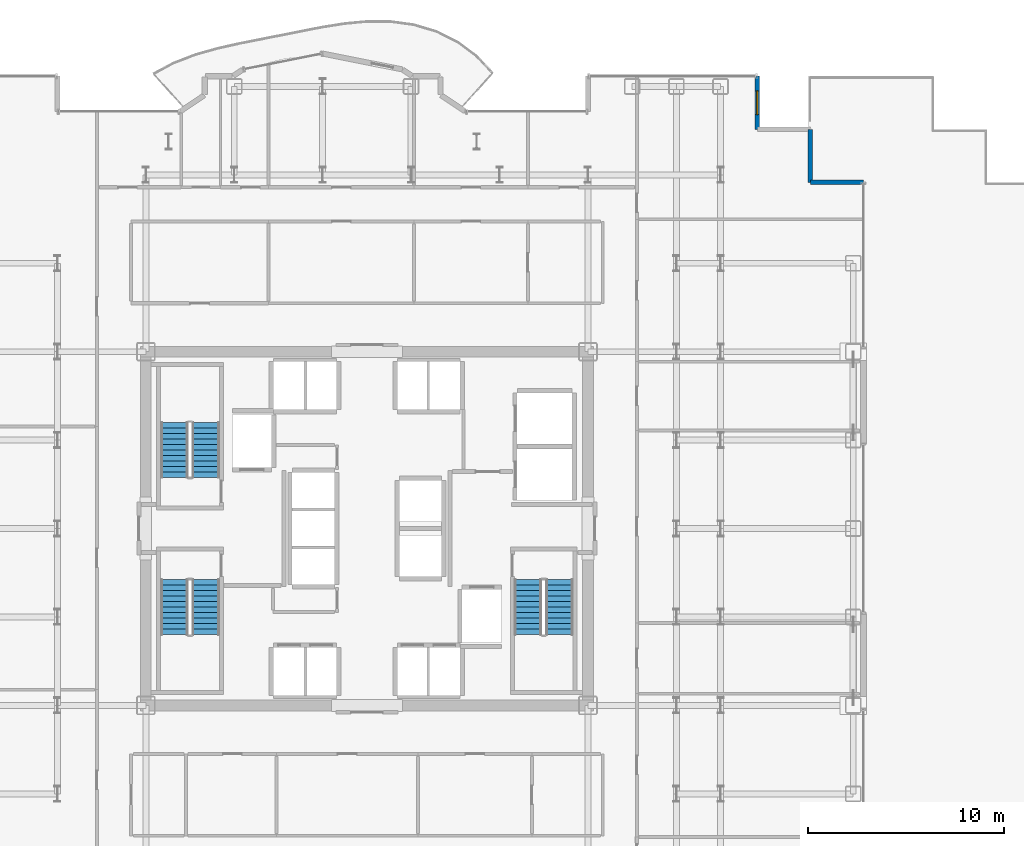
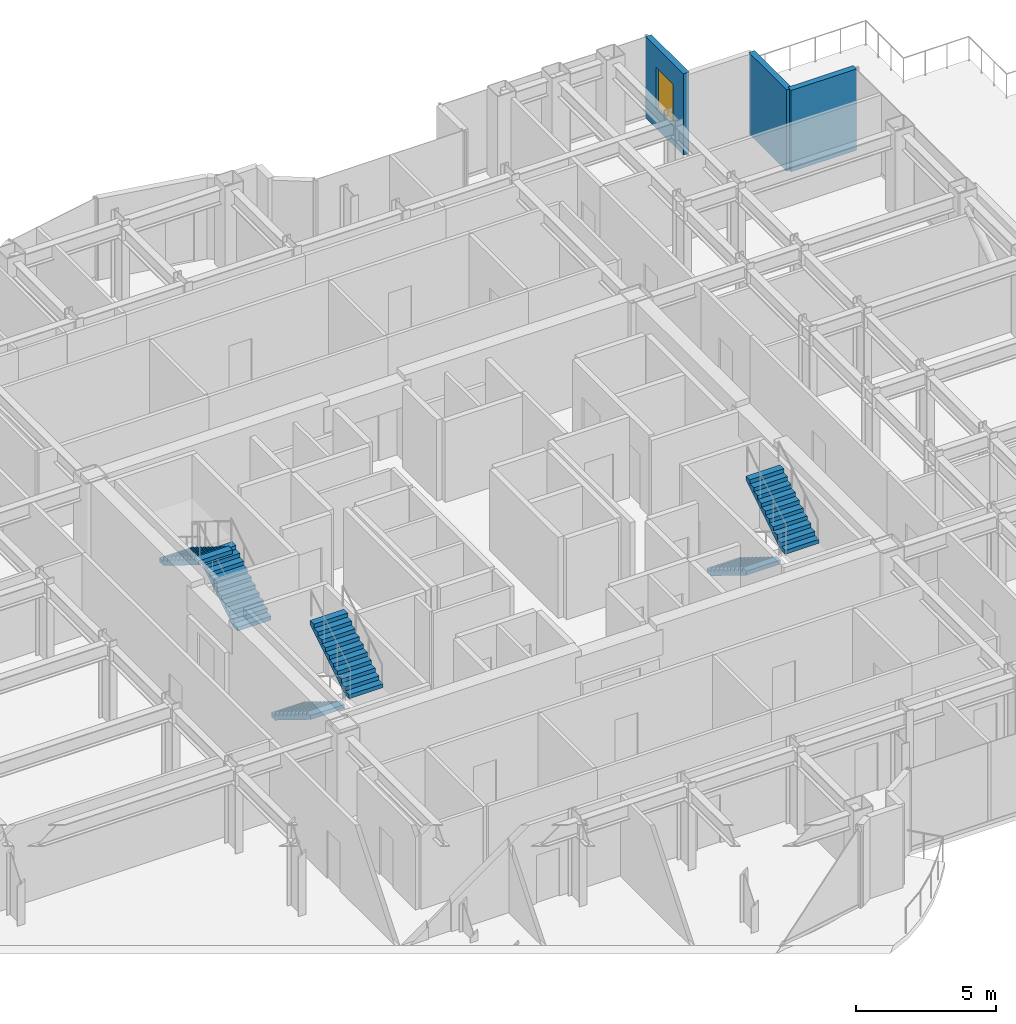
# One storey, part 25 of 27: 6 stair flights, 3 walls, 1 window, 1 opening, 3 elements without a shape of their own.
"""IFC4 building model written with IfcOpenShell, lengths in metres."""

from ifc_helpers import new_model, si_unit, direction, frame, frame_2d, origin, place, context, subcontext, project, spatial, polyline, rectangle, outline, extrude, source, transform, mapped, material, layer, layer_set, type_object, element, fill, aggregate, save


model = new_model("IFC4")

# Units and contexts
model_context = context("Model", 3, precision=1e-05, world=origin(), true_north=direction((0.0, 1.0)))
body_context = subcontext(model_context, "Body", "Model", "MODEL_VIEW")
ifc_project = project(units=[si_unit("LENGTHUNIT", "METRE"), si_unit("AREAUNIT", "SQUARE_METRE"), si_unit("VOLUMEUNIT", "CUBIC_METRE"), si_unit("PLANEANGLEUNIT", "RADIAN"), si_unit("MASSUNIT", "GRAM", prefix="KILO")], contexts=[model_context])

# Site, building, storey
site_placement = place(None, origin())
site = spatial("IfcSite", under=ifc_project, at=site_placement, CompositionType="ELEMENT")
building_placement = place(site_placement, origin())
building = spatial("IfcBuilding", under=site, at=building_placement, Name="Nefas-Gora Pilgrimage Tower", CompositionType="ELEMENT")
storey_placement = place(building_placement, frame((0.0, 0.0, 148.800048828125)))
storey = spatial("IfcBuildingStorey", under=building, at=storey_placement, Name="L36", CompositionType="ELEMENT", Elevation=148.800048828125)

# Walls
ifc_material_1 = material(Name="Precast concrete C45/55", Category="concrete")
ifc_layer = layer(ifc_material_1, 0.239990234375)
ifc_layer_set = layer_set([ifc_layer], Name="Precast concrete C45/55")
wall_type = type_object("IfcWallType", Name="EW-SERR-240", PredefinedType="SHEAR", material=ifc_layer_set)
shared_shape_1 = source(origin(), body_context, "Body", "SweptSolid", [
    extrude(rectangle(XDim=2.699951171875, YDim=0.239990234375, at=frame_2d((1.35009765625, 0.0))), origin(), (0.0, 0.0, 1.0), 3.550048828125),
])
for number, where, z_axis, x_axis, name in (
    (1, (25.27001953125, 17.6201171875, 0.0), (0.0, 0.0, 1.0), (-1.0, 0.0, 0.0), "L36 Serrated Corner Shear Pier Wall 10"),
    (2, (22.570068359375, 17.6201171875, 0.0), (0.0, 0.0, 1.0), (0.0, 1.0, 0.0), "L36 Serrated Corner Shear Pier Wall 11"),
):
    element("IfcWall", number, at=place(storey_placement, frame(where, z_axis=z_axis, x_axis=x_axis)), inside=storey, type_object=wall_type, Name=name, PredefinedType="SHEAR", context=body_context, shape_type="MappedRepresentation", body=[
        mapped(shared_shape_1, transform((0.0, 0.0, 0.0), x_axis=(1.0, 0.0, 0.0), y_axis=(0.0, 1.0, 0.0), z_axis=(0.0, 0.0, 1.0), scale=1.0)),
    ])

# Wall, opening, window
wall_placement = place(storey_placement, frame((19.8701171875, 20.320068359375, 0.0), z_axis=(0.0, 0.0, 1.0), x_axis=(0.0, 1.0, 0.0)))
wall = element("IfcWall", 3, at=wall_placement, inside=storey, type_object=wall_type, Name="L36 Serrated Corner Shear Pier Wall 13", PredefinedType="SHEAR", context=body_context, shape_type="MappedRepresentation", body=[
    mapped(shared_shape_1, transform((0.0, 0.0, 0.0), x_axis=(1.0, 0.0, 0.0), y_axis=(0.0, 1.0, 0.0), z_axis=(0.0, 0.0, 1.0), scale=1.0)),
])
opening_placement = place(wall_placement, frame((0.75, 0.0, 0.85009765625)))
opening = element("IfcOpeningElement", 4, at=opening_placement, cuts=wall, Name="Opening W-V1", PredefinedType="OPENING", context=body_context, shape_type="SweptSolid", body=[
    extrude(rectangle(XDim=1.199951171875, YDim=1.800048828125, at=frame_2d((0.60009765625, 0.89990234375))), frame((0.0, 0.1298828125, 0.0), z_axis=(0.0, -1.0, 0.0), x_axis=(1.0, 0.0, 0.0)), (0.0, 0.0, 1.0), 0.260009765625),
])
ifc_material_2 = material(Name="Dark ceramic-fritted operable aluminium-glass window", Category="aluminium")
window_type = type_object("IfcWindowType", Name="WIN-VENT-1200x1800", PartitioningType="SINGLE_PANEL", PredefinedType="WINDOW", material=ifc_material_2)
shared_shape_2 = source(origin(), body_context, "Body", "SweptSolid", [
    extrude(rectangle(XDim=1.199951171875, YDim=1.800048828125, at=frame_2d((0.60009765625, 0.89990234375))), frame((0.0, 0.030029296875, 0.0), z_axis=(0.0, -1.0, 0.0), x_axis=(1.0, 0.0, 0.0)), (0.0, 0.0, 1.0), 0.06005859375),
])
window_placement = place(opening_placement, origin())
window = element("IfcWindow", 5, at=window_placement, inside=storey, type_object=window_type, Name="L36 Operable Parallel-Outswing Window 13", OverallHeight=1.800048828125, OverallWidth=1.199951171875, PartitioningType="SINGLE_PANEL", PredefinedType="WINDOW", context=body_context, shape_type="MappedRepresentation", body=[
    mapped(shared_shape_2, transform((0.0, 0.0, 0.0), x_axis=(1.0, 0.0, 0.0), y_axis=(0.0, 1.0, 0.0), z_axis=(0.0, 0.0, 1.0), scale=1.0)),
])
fill(opening, window)

# Stair, stair flights
ifc_material_3 = material(Name="Concrete C45/55", Category="concrete")
stair_type = type_object("IfcStairType", Name="STR-1400-R1727", PredefinedType="HALF_TURN_STAIR", material=ifc_material_3)
stair_1_placement = place(storey_placement, origin())
stair_1 = element("IfcStair", 6, at=stair_1_placement, inside=storey, type_object=stair_type, Name="L36 Pressurised Tower Exit Stair ST-01", PredefinedType="HALF_TURN_STAIR")
stair_flight_type = type_object("IfcStairFlightType", Name="STF-1400-R1727", PredefinedType="STRAIGHT", material=ifc_material_3)
shared_shape_3 = source(origin(), body_context, "Body", "SweptSolid", [
    extrude(outline(polyline([(0.0, 0.0), (0.0, 0.172607421875), (0.280029296875, 0.172607421875), (0.280029296875, 0.345458984375), (0.56005859375, 0.345458984375), (0.56005859375, 0.51806640625), (0.840087890625, 0.51806640625), (0.840087890625, 0.69091796875), (1.1201171875, 0.69091796875), (1.1201171875, 0.863525390625), (1.39990234375, 0.863525390625), (1.39990234375, 1.036376953125), (1.679931640625, 1.036376953125), (1.679931640625, 1.208984375), (1.9599609375, 1.208984375), (1.9599609375, 1.3818359375), (2.239990234375, 1.3818359375), (2.239990234375, 1.554443359375), (2.52001953125, 1.554443359375), (2.52001953125, 1.727294921875), (2.800048828125, 1.727294921875), (2.800048828125, 1.89990234375), (2.800048828125, 1.551025390625), (0.285400390625, 0.0), (0.0, 0.0)])), frame((0.0, 0.699951171875, 0.0), z_axis=(0.0, -1.0, 0.0), x_axis=(1.0, 0.0, 0.0)), (0.0, 0.0, 1.0), 1.39990234375),
])
stair_flight_1_placement = place(storey_placement, frame((-8.199951171875, 2.60009765625, 0.0), z_axis=(0.0, 0.0, 1.0), x_axis=(0.0, 1.0, 0.0)))
stair_flight_1 = element("IfcStairFlight", 7, at=stair_flight_1_placement, type_object=stair_flight_type, Name="ST-01 flight 1", NumberOfRisers=11, NumberOfTreads=10, PredefinedType="STRAIGHT", RiserHeight=0.172727273, TreadLength=0.28, context=body_context, shape_type="MappedRepresentation", body=[
    mapped(shared_shape_3, transform((0.0, 0.0, 0.0), x_axis=(1.0, 0.0, 0.0), y_axis=(0.0, 1.0, 0.0), z_axis=(0.0, 0.0, 1.0), scale=1.0)),
])
stair_flight_2_placement = place(storey_placement, frame((-9.800048828125, 5.39990234375, 1.89990234375), z_axis=(0.0, 0.0, 1.0), x_axis=(0.0, -1.0, 0.0)))
stair_flight_2 = element("IfcStairFlight", 8, at=stair_flight_2_placement, type_object=stair_flight_type, Name="ST-01 flight 2", NumberOfRisers=11, NumberOfTreads=10, PredefinedType="STRAIGHT", RiserHeight=0.172727273, TreadLength=0.28, context=body_context, shape_type="MappedRepresentation", body=[
    mapped(shared_shape_3, transform((0.0, 0.0, 0.0), x_axis=(1.0, 0.0, 0.0), y_axis=(0.0, 1.0, 0.0), z_axis=(0.0, 0.0, 1.0), scale=1.0)),
])
aggregate(stair_1, [stair_flight_1, stair_flight_2])

stair_2_placement = place(storey_placement, origin())
stair_2 = element("IfcStair", 9, at=stair_2_placement, inside=storey, type_object=stair_type, Name="L36 Pressurised Tower Exit Stair ST-02", PredefinedType="HALF_TURN_STAIR")
stair_flight_3_placement = place(storey_placement, frame((8.199951171875, -2.60009765625, 0.0), z_axis=(0.0, 0.0, 1.0), x_axis=(0.0, -1.0, 0.0)))
stair_flight_3 = element("IfcStairFlight", 10, at=stair_flight_3_placement, type_object=stair_flight_type, Name="ST-02 flight 1", NumberOfRisers=11, NumberOfTreads=10, PredefinedType="STRAIGHT", RiserHeight=0.172727273, TreadLength=0.28, context=body_context, shape_type="MappedRepresentation", body=[
    mapped(shared_shape_3, transform((0.0, 0.0, 0.0), x_axis=(1.0, 0.0, 0.0), y_axis=(0.0, 1.0, 0.0), z_axis=(0.0, 0.0, 1.0), scale=1.0)),
])
stair_flight_4_placement = place(storey_placement, frame((9.800048828125, -5.39990234375, 1.89990234375), z_axis=(0.0, 0.0, 1.0), x_axis=(0.0, 1.0, 0.0)))
stair_flight_4 = element("IfcStairFlight", 11, at=stair_flight_4_placement, type_object=stair_flight_type, Name="ST-02 flight 2", NumberOfRisers=11, NumberOfTreads=10, PredefinedType="STRAIGHT", RiserHeight=0.172727273, TreadLength=0.28, context=body_context, shape_type="MappedRepresentation", body=[
    mapped(shared_shape_3, transform((0.0, 0.0, 0.0), x_axis=(1.0, 0.0, 0.0), y_axis=(0.0, 1.0, 0.0), z_axis=(0.0, 0.0, 1.0), scale=1.0)),
])
aggregate(stair_2, [stair_flight_3, stair_flight_4])

stair_3_placement = place(storey_placement, origin())
stair_3 = element("IfcStair", 12, at=stair_3_placement, inside=storey, type_object=stair_type, Name="L36 Pressurised Tower Exit Stair ST-03", PredefinedType="HALF_TURN_STAIR")
stair_flight_5_placement = place(storey_placement, frame((-9.800048828125, -2.60009765625, 0.0), z_axis=(0.0, 0.0, 1.0), x_axis=(0.0, -1.0, 0.0)))
stair_flight_5 = element("IfcStairFlight", 13, at=stair_flight_5_placement, type_object=stair_flight_type, Name="ST-03 flight 1", NumberOfRisers=11, NumberOfTreads=10, PredefinedType="STRAIGHT", RiserHeight=0.172727273, TreadLength=0.28, context=body_context, shape_type="MappedRepresentation", body=[
    mapped(shared_shape_3, transform((0.0, 0.0, 0.0), x_axis=(1.0, 0.0, 0.0), y_axis=(0.0, 1.0, 0.0), z_axis=(0.0, 0.0, 1.0), scale=1.0)),
])
stair_flight_6_placement = place(storey_placement, frame((-8.199951171875, -5.39990234375, 1.89990234375), z_axis=(0.0, 0.0, 1.0), x_axis=(0.0, 1.0, 0.0)))
stair_flight_6 = element("IfcStairFlight", 14, at=stair_flight_6_placement, type_object=stair_flight_type, Name="ST-03 flight 2", NumberOfRisers=11, NumberOfTreads=10, PredefinedType="STRAIGHT", RiserHeight=0.172727273, TreadLength=0.28, context=body_context, shape_type="MappedRepresentation", body=[
    mapped(shared_shape_3, transform((0.0, 0.0, 0.0), x_axis=(1.0, 0.0, 0.0), y_axis=(0.0, 1.0, 0.0), z_axis=(0.0, 0.0, 1.0), scale=1.0)),
])
aggregate(stair_3, [stair_flight_5, stair_flight_6])

save(model, "model.ifc")
